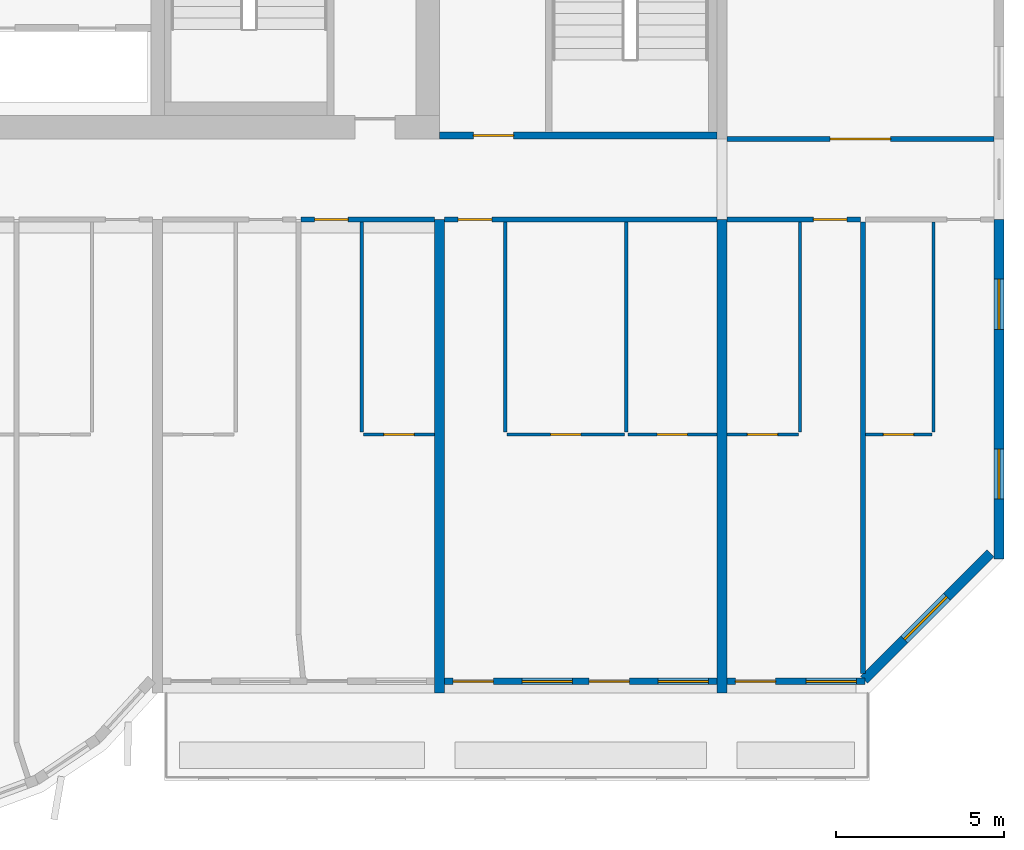
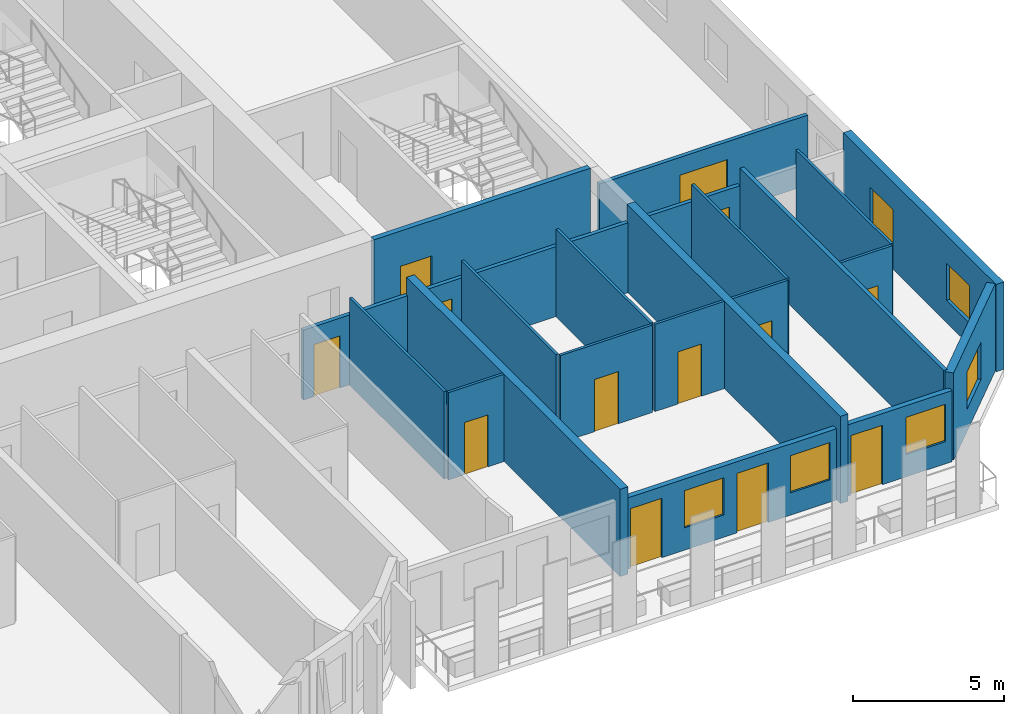
# One storey, part 8 of 13: 22 walls, 13 doors, 6 windows, 19 openings.
"""IFC4 building model written with IfcOpenShell, lengths in metres."""

from ifc_helpers import new_model, si_unit, direction, frame, frame_2d, origin, place, context, subcontext, project, spatial, rectangle, extrude, source, transform, mapped, material, layer, layer_set, type_object, element, fill, save


model = new_model("IFC4")

# Units and contexts
model_context = context("Model", 3, precision=1e-05, world=origin(), true_north=direction((0.0, 1.0)))
body_context = subcontext(model_context, "Body", "Model", "MODEL_VIEW")
ifc_project = project(units=[si_unit("LENGTHUNIT", "METRE"), si_unit("AREAUNIT", "SQUARE_METRE"), si_unit("VOLUMEUNIT", "CUBIC_METRE"), si_unit("PLANEANGLEUNIT", "RADIAN"), si_unit("MASSUNIT", "GRAM", prefix="KILO")], contexts=[model_context])

# Site, building, storey
site_placement = place(None, origin())
site = spatial("IfcSite", under=ifc_project, at=site_placement, CompositionType="ELEMENT")
building_placement = place(site_placement, origin())
building = spatial("IfcBuilding", under=site, at=building_placement, Name="Vanashikhar Sky Hotel", CompositionType="ELEMENT")
storey_placement = place(building_placement, frame((0.0, 0.0, 151.60009765625)))
storey = spatial("IfcBuildingStorey", under=building, at=storey_placement, Name="L36", CompositionType="ELEMENT", Elevation=151.60009765625)

# Wall, openings, windows
ifc_material_1 = material(Name="Concrete M60", Category="concrete")
ifc_layer_1 = layer(ifc_material_1, 0.300048828125)
ifc_layer_set_1 = layer_set([ifc_layer_1], Name="RC shear wall 300 Concrete M60")
wall_type_1 = type_object("IfcWallType", Name="RC shear wall 300 Concrete M60", PredefinedType="SHEAR", material=ifc_layer_set_1)
shared_shape_1 = source(origin(), body_context, "Body", "SweptSolid", [
    extrude(rectangle(XDim=10.10009765625, YDim=0.300048828125, at=frame_2d((5.050048828125, 0.0))), origin(), (0.0, 0.0, 1.0), 3.52001953125),
])
wall_1_placement = place(storey_placement, frame((92.25, 9.5, 0.0), z_axis=(0.0, 0.0, 1.0), x_axis=(0.0, 1.0, 0.0)))
wall_1 = element("IfcWall", 1, at=wall_1_placement, inside=storey, type_object=wall_type_1, Name="CW-L36-XW12-1", PredefinedType="SHEAR", context=body_context, shape_type="MappedRepresentation", body=[
    mapped(shared_shape_1, transform((0.0, 0.0, 0.0), scale=1.0)),
])
shared_shape_2 = source(origin(), body_context, "Body", "SweptSolid", [
    extrude(rectangle(XDim=1.5, YDim=1.5, at=frame_2d((0.75, 0.75))), frame((0.0, 0.16015625, 0.0), z_axis=(0.0, -1.0, 0.0), x_axis=(1.0, 0.0, 0.0)), (0.0, 0.0, 1.0), 0.320068359375),
])
opening_1_placement = place(wall_1_placement, frame((1.77490234375, 0.0, 0.89990234375)))
opening_1 = element("IfcOpeningElement", 2, at=opening_1_placement, cuts=wall_1, Name="Opening WN-1", PredefinedType="OPENING", context=body_context, shape_type="MappedRepresentation", body=[
    mapped(shared_shape_2, transform((0.0, 0.0, 0.0), scale=1.0)),
])
opening_2_placement = place(wall_1_placement, frame((6.824951171875, 0.0, 0.89990234375)))
opening_2 = element("IfcOpeningElement", 3, at=opening_2_placement, cuts=wall_1, Name="Opening WN-1", PredefinedType="OPENING", context=body_context, shape_type="MappedRepresentation", body=[
    mapped(shared_shape_2, transform((0.0, 0.0, 0.0), scale=1.0)),
])
ifc_material_2 = material(Name="Glass", Category="glass")
window_type_1 = type_object("IfcWindowType", Name="Window 1500 x 1500", PartitioningType="SINGLE_PANEL", PredefinedType="WINDOW", material=ifc_material_2)
shared_shape_3 = source(origin(), body_context, "Body", "SweptSolid", [
    extrude(rectangle(XDim=1.5, YDim=1.5, at=frame_2d((0.75, 0.75))), frame((0.0, 0.030029296875, 0.0), z_axis=(0.0, -1.0, 0.0), x_axis=(1.0, 0.0, 0.0)), (0.0, 0.0, 1.0), 0.06005859375),
])
window_1_placement = place(opening_1_placement, origin())
window_1 = element("IfcWindow", 4, at=window_1_placement, inside=storey, type_object=window_type_1, Name="Window WN-1", OverallHeight=1.5, OverallWidth=1.5, PartitioningType="SINGLE_PANEL", PredefinedType="WINDOW", context=body_context, shape_type="MappedRepresentation", body=[
    mapped(shared_shape_3, transform((0.0, 0.0, 0.0), scale=1.0)),
])
fill(opening_1, window_1)
window_2_placement = place(opening_2_placement, origin())
window_2 = element("IfcWindow", 5, at=window_2_placement, inside=storey, type_object=window_type_1, Name="Window WN-1", OverallHeight=1.5, OverallWidth=1.5, PartitioningType="SINGLE_PANEL", PredefinedType="WINDOW", context=body_context, shape_type="MappedRepresentation", body=[
    mapped(shared_shape_3, transform((0.0, 0.0, 0.0), scale=1.0)),
])
fill(opening_2, window_2)

# Walls
shared_shape_4 = source(origin(), body_context, "Body", "SweptSolid", [
    extrude(rectangle(XDim=14.10009765625, YDim=0.300048828125, at=frame_2d((7.050048828125, 0.0))), origin(), (0.0, 0.0, 1.0), 3.52001953125),
])
for number, where, z_axis, x_axis, name in (
    (6, (75.60009765625, 5.5, 0.0), (0.0, 0.0, 1.0), (0.0, 1.0, 0.0), "CW-L36-XW10-1"),
    (7, (84.0, 5.5, 0.0), (0.0, 0.0, 1.0), (0.0, 1.0, 0.0), "CW-L36-XW11-1"),
):
    element("IfcWall", number, at=place(storey_placement, frame(where, z_axis=z_axis, x_axis=x_axis)), inside=storey, type_object=wall_type_1, Name=name, PredefinedType="SHEAR", context=body_context, shape_type="MappedRepresentation", body=[
        mapped(shared_shape_4, transform((0.0, 0.0, 0.0), scale=1.0)),
    ])

# Wall, opening, window
ifc_material_3 = material(Name="Concrete M50", Category="concrete")
ifc_layer_2 = layer(ifc_material_3, 0.300048828125)
ifc_layer_set_2 = layer_set([ifc_layer_2], Name="Lobe wall 300")
wall_type_2 = type_object("IfcWallType", Name="Lobe wall 300", PredefinedType="SOLIDWALL", material=ifc_layer_set_2)
shared_shape_5 = source(origin(), body_context, "Body", "SweptSolid", [
    extrude(rectangle(XDim=5.32568359375, YDim=0.300048828125, at=frame_2d((2.662841796875, 0.0))), origin(), (0.0, 0.0, 1.0), 3.52001953125),
])
wall_2_placement = place(storey_placement, frame((88.234375, 5.89990234375, 0.0), z_axis=(0.0, 0.0, 1.0), x_axis=(0.707083859269, 0.707129702361, 0.0)))
wall_2 = element("IfcWall", 8, at=wall_2_placement, inside=storey, type_object=wall_type_2, Name="Corner wall", PredefinedType="SOLIDWALL", context=body_context, shape_type="MappedRepresentation", body=[
    mapped(shared_shape_5, transform((0.0, 0.0, 0.0), scale=1.0)),
])
shared_shape_6 = source(origin(), body_context, "Body", "SweptSolid", [
    extrude(rectangle(XDim=1.800048828125, YDim=1.5, at=frame_2d((0.89990234375, 0.75))), frame((0.0, 0.16015625, 0.0), z_axis=(0.0, -1.0, 0.0), x_axis=(1.0, 0.0, 0.0)), (0.0, 0.0, 1.0), 0.320068359375),
])
opening_3_placement = place(wall_2_placement, frame((1.689453125, 0.0, 0.89990234375)))
opening_3 = element("IfcOpeningElement", 9, at=opening_3_placement, cuts=wall_2, Name="Opening WN-4", PredefinedType="OPENING", context=body_context, shape_type="MappedRepresentation", body=[
    mapped(shared_shape_6, transform((0.0, 0.0, 0.0), scale=1.0)),
])
window_type_2 = type_object("IfcWindowType", Name="Corner window 1800 x 1500", PartitioningType="SINGLE_PANEL", PredefinedType="WINDOW", material=ifc_material_2)
shared_shape_7 = source(origin(), body_context, "Body", "SweptSolid", [
    extrude(rectangle(XDim=1.800048828125, YDim=1.5, at=frame_2d((0.89990234375, 0.75))), frame((0.0, 0.030029296875, 0.0), z_axis=(0.0, -1.0, 0.0), x_axis=(1.0, 0.0, 0.0)), (0.0, 0.0, 1.0), 0.06005859375),
])
window_3_placement = place(opening_3_placement, origin())
window_3 = element("IfcWindow", 10, at=window_3_placement, inside=storey, type_object=window_type_2, Name="Window WN-4", OverallHeight=1.5, OverallWidth=1.800048828125, PartitioningType="SINGLE_PANEL", PredefinedType="WINDOW", context=body_context, shape_type="MappedRepresentation", body=[
    mapped(shared_shape_7, transform((0.0, 0.0, 0.0), scale=1.0)),
])
fill(opening_3, window_3)

# Wall, openings, window, door
ifc_layer_3 = layer(ifc_material_3, 0.199951171875)
ifc_layer_set_3 = layer_set([ifc_layer_3], Name="Front window wall 200")
wall_type_3 = type_object("IfcWallType", Name="Front window wall 200", PredefinedType="SOLIDWALL", material=ifc_layer_set_3)
shared_shape_8 = source(origin(), body_context, "Body", "SweptSolid", [
    extrude(rectangle(XDim=4.10498046875, YDim=0.199951171875, at=frame_2d((2.052490234375, 0.0))), origin(), (0.0, 0.0, 1.0), 2.869873046875),
])
wall_3_placement = place(storey_placement, frame((84.14990234375, 5.85009765625, 0.0), z_axis=(0.0, 0.0, 1.0), x_axis=(1.0, 0.0, 0.0)))
wall_3 = element("IfcWall", 11, at=wall_3_placement, inside=storey, type_object=wall_type_3, Name="Front window wall", PredefinedType="SOLIDWALL", context=body_context, shape_type="MappedRepresentation", body=[
    mapped(shared_shape_8, transform((0.0, 0.0, 0.0), scale=1.0)),
])
shared_shape_9 = source(origin(), body_context, "Body", "SweptSolid", [
    extrude(rectangle(XDim=1.199951171875, YDim=2.39990234375, at=frame_2d((0.60009765625, 1.199951171875))), frame((0.0, 0.10986328125, 0.0), z_axis=(0.0, -1.0, 0.0), x_axis=(1.0, 0.0, 0.0)), (0.0, 0.0, 1.0), 0.219970703125),
])
opening_4_placement = place(wall_3_placement, frame((0.25, 0.0, 0.0)))
opening_4 = element("IfcOpeningElement", 12, at=opening_4_placement, cuts=wall_3, Name="Opening BD-10", PredefinedType="OPENING", context=body_context, shape_type="MappedRepresentation", body=[
    mapped(shared_shape_9, transform((0.0, 0.0, 0.0), scale=1.0)),
])
shared_shape_10 = source(origin(), body_context, "Body", "SweptSolid", [
    extrude(rectangle(XDim=1.5, YDim=1.5, at=frame_2d((0.75, 0.75))), frame((0.0, 0.10986328125, 0.0), z_axis=(0.0, -1.0, 0.0), x_axis=(1.0, 0.0, 0.0)), (0.0, 0.0, 1.0), 0.219970703125),
])
opening_5_placement = place(wall_3_placement, frame((2.35498046875, 0.0, 0.89990234375)))
opening_5 = element("IfcOpeningElement", 13, at=opening_5_placement, cuts=wall_3, Name="Opening WN-1", PredefinedType="OPENING", context=body_context, shape_type="MappedRepresentation", body=[
    mapped(shared_shape_10, transform((0.0, 0.0, 0.0), scale=1.0)),
])
window_4_placement = place(opening_5_placement, origin())
window_4 = element("IfcWindow", 14, at=window_4_placement, inside=storey, type_object=window_type_1, Name="Window WN-1", OverallHeight=1.5, OverallWidth=1.5, PartitioningType="SINGLE_PANEL", PredefinedType="WINDOW", context=body_context, shape_type="MappedRepresentation", body=[
    mapped(shared_shape_3, transform((0.0, 0.0, 0.0), scale=1.0)),
])
fill(opening_5, window_4)
ifc_material_4 = material(Name="Aluminium", Category="aluminium")
door_type_1 = type_object("IfcDoorType", Name="Balcony sliding door 1200 x 2400", OperationType="NOTDEFINED", PredefinedType="DOOR", material=ifc_material_4)
shared_shape_11 = source(origin(), body_context, "Body", "SweptSolid", [
    extrude(rectangle(XDim=1.199951171875, YDim=2.39990234375, at=frame_2d((0.60009765625, 1.199951171875))), frame((0.0, 0.02490234375, 0.0), z_axis=(0.0, -1.0, 0.0), x_axis=(1.0, 0.0, 0.0)), (0.0, 0.0, 1.0), 0.050048828125),
])
door_1_placement = place(opening_4_placement, origin())
door_1 = element("IfcDoor", 15, at=door_1_placement, inside=storey, type_object=door_type_1, Name="Balcony sliding door", OperationType="SLIDING_TO_RIGHT", OverallHeight=2.39990234375, OverallWidth=1.199951171875, PredefinedType="DOOR", context=body_context, shape_type="MappedRepresentation", body=[
    mapped(shared_shape_11, transform((0.0, 0.0, 0.0), scale=1.0)),
])
fill(opening_4, door_1)

# Wall, openings, windows, doors
shared_shape_12 = source(origin(), body_context, "Body", "SweptSolid", [
    extrude(rectangle(XDim=8.10009765625, YDim=0.199951171875, at=frame_2d((4.050048828125, 0.0))), origin(), (0.0, 0.0, 1.0), 2.869873046875),
])
wall_4_placement = place(storey_placement, frame((75.75, 5.85009765625, 0.0), z_axis=(0.0, 0.0, 1.0), x_axis=(1.0, 0.0, 0.0)))
wall_4 = element("IfcWall", 16, at=wall_4_placement, inside=storey, type_object=wall_type_3, Name="Front window wall", PredefinedType="SOLIDWALL", context=body_context, shape_type="MappedRepresentation", body=[
    mapped(shared_shape_12, transform((0.0, 0.0, 0.0), scale=1.0)),
])
opening_6_placement = place(wall_4_placement, frame((0.25, 0.0, 0.0)))
opening_6 = element("IfcOpeningElement", 17, at=opening_6_placement, cuts=wall_4, Name="Opening BD-08", PredefinedType="OPENING", context=body_context, shape_type="MappedRepresentation", body=[
    mapped(shared_shape_9, transform((0.0, 0.0, 0.0), scale=1.0)),
])
opening_7_placement = place(wall_4_placement, frame((2.300048828125, 0.0, 0.89990234375)))
opening_7 = element("IfcOpeningElement", 18, at=opening_7_placement, cuts=wall_4, Name="Opening WN-1", PredefinedType="OPENING", context=body_context, shape_type="MappedRepresentation", body=[
    mapped(shared_shape_10, transform((0.0, 0.0, 0.0), scale=1.0)),
])
opening_8_placement = place(wall_4_placement, frame((4.300048828125, 0.0, 0.0)))
opening_8 = element("IfcOpeningElement", 19, at=opening_8_placement, cuts=wall_4, Name="Opening BD-09", PredefinedType="OPENING", context=body_context, shape_type="MappedRepresentation", body=[
    mapped(shared_shape_9, transform((0.0, 0.0, 0.0), scale=1.0)),
])
opening_9_placement = place(wall_4_placement, frame((6.35009765625, 0.0, 0.89990234375)))
opening_9 = element("IfcOpeningElement", 20, at=opening_9_placement, cuts=wall_4, Name="Opening WN-1", PredefinedType="OPENING", context=body_context, shape_type="MappedRepresentation", body=[
    mapped(shared_shape_10, transform((0.0, 0.0, 0.0), scale=1.0)),
])
window_5_placement = place(opening_7_placement, origin())
window_5 = element("IfcWindow", 21, at=window_5_placement, inside=storey, type_object=window_type_1, Name="Window WN-1", OverallHeight=1.5, OverallWidth=1.5, PartitioningType="SINGLE_PANEL", PredefinedType="WINDOW", context=body_context, shape_type="MappedRepresentation", body=[
    mapped(shared_shape_3, transform((0.0, 0.0, 0.0), scale=1.0)),
])
fill(opening_7, window_5)
window_6_placement = place(opening_9_placement, origin())
window_6 = element("IfcWindow", 22, at=window_6_placement, inside=storey, type_object=window_type_1, Name="Window WN-1", OverallHeight=1.5, OverallWidth=1.5, PartitioningType="SINGLE_PANEL", PredefinedType="WINDOW", context=body_context, shape_type="MappedRepresentation", body=[
    mapped(shared_shape_3, transform((0.0, 0.0, 0.0), scale=1.0)),
])
fill(opening_9, window_6)
door_2_placement = place(opening_6_placement, origin())
door_2 = element("IfcDoor", 23, at=door_2_placement, inside=storey, type_object=door_type_1, Name="Balcony sliding door", OperationType="SLIDING_TO_RIGHT", OverallHeight=2.39990234375, OverallWidth=1.199951171875, PredefinedType="DOOR", context=body_context, shape_type="MappedRepresentation", body=[
    mapped(shared_shape_11, transform((0.0, 0.0, 0.0), scale=1.0)),
])
fill(opening_6, door_2)
door_3_placement = place(opening_8_placement, origin())
door_3 = element("IfcDoor", 24, at=door_3_placement, inside=storey, type_object=door_type_1, Name="Balcony sliding door", OperationType="SLIDING_TO_LEFT", OverallHeight=2.39990234375, OverallWidth=1.199951171875, PredefinedType="DOOR", context=body_context, shape_type="MappedRepresentation", body=[
    mapped(shared_shape_11, transform((0.0, 0.0, 0.0), scale=1.0)),
])
fill(opening_8, door_3)

# Wall, opening, door
ifc_layer_4 = layer(ifc_material_3, 0.199951171875)
ifc_layer_set_4 = layer_set([ifc_layer_4], Name="Stair wall 200")
wall_type_4 = type_object("IfcWallType", Name="Stair wall 200", PredefinedType="SOLIDWALL", material=ifc_layer_set_4)
shared_shape_13 = source(origin(), body_context, "Body", "SweptSolid", [
    extrude(rectangle(XDim=8.25, YDim=0.199951171875, at=frame_2d((4.125, 0.0))), origin(), (0.0, 0.0, 1.0), 3.52001953125),
])
wall_5_placement = place(storey_placement, frame((83.85009765625, 22.10009765625, 0.0), z_axis=(0.0, 0.0, 1.0), x_axis=(-1.0, 0.0, 0.0)))
wall_5 = element("IfcWall", 25, at=wall_5_placement, inside=storey, type_object=wall_type_4, Name="Stair wall 200", PredefinedType="SOLIDWALL", context=body_context, shape_type="MappedRepresentation", body=[
    mapped(shared_shape_13, transform((0.0, 0.0, 0.0), scale=1.0)),
])
shared_shape_14 = source(origin(), body_context, "Body", "SweptSolid", [
    extrude(rectangle(XDim=1.199951171875, YDim=2.10009765625, at=frame_2d((0.60009765625, 1.050048828125))), frame((0.0, 0.10986328125, 0.0), z_axis=(0.0, -1.0, 0.0), x_axis=(1.0, 0.0, 0.0)), (0.0, 0.0, 1.0), 0.219970703125),
])
opening_10_placement = place(wall_5_placement, frame((6.050048828125, 0.0, 0.0)))
opening_10 = element("IfcOpeningElement", 26, at=opening_10_placement, cuts=wall_5, Name="Opening DC-2", PredefinedType="OPENING", context=body_context, shape_type="MappedRepresentation", body=[
    mapped(shared_shape_14, transform((0.0, 0.0, 0.0), scale=1.0)),
])
ifc_material_5 = material(Name="Steel", Category="steel")
door_type_2 = type_object("IfcDoorType", Name="Firefighting lobby door 1200 FD120", OperationType="NOTDEFINED", PredefinedType="DOOR", material=ifc_material_5)
shared_shape_15 = source(origin(), body_context, "Body", "SweptSolid", [
    extrude(rectangle(XDim=1.199951171875, YDim=2.10009765625, at=frame_2d((0.60009765625, 1.050048828125))), frame((0.0, 0.02490234375, 0.0), z_axis=(0.0, -1.0, 0.0), x_axis=(1.0, 0.0, 0.0)), (0.0, 0.0, 1.0), 0.050048828125),
])
door_4_placement = place(opening_10_placement, origin())
door_4 = element("IfcDoor", 27, at=door_4_placement, inside=storey, type_object=door_type_2, Name="Firefighting lobby door 1200 FD120", OperationType="SINGLE_SWING_RIGHT", OverallHeight=2.10009765625, OverallWidth=1.199951171875, PredefinedType="DOOR", context=body_context, shape_type="MappedRepresentation", body=[
    mapped(shared_shape_15, transform((0.0, 0.0, 0.0), scale=1.0)),
])
fill(opening_10, door_4)

ifc_material_6 = material(Name="Gypsum plasterboard partition")
ifc_layer_5 = layer(ifc_material_6, 0.10009765625)
ifc_layer_set_5 = layer_set([ifc_layer_5], Name="Wet room partition 100")
wall_type_5 = type_object("IfcWallType", Name="Wet room partition 100", PredefinedType="PARTITIONING", material=ifc_layer_set_5)
shared_shape_16 = source(origin(), body_context, "Body", "SweptSolid", [
    extrude(rectangle(XDim=3.5, YDim=0.10009765625, at=frame_2d((1.75, 0.0))), origin(), (0.0, 0.0, 1.0), 3.52001953125),
])
wall_6_placement = place(storey_placement, frame((77.60009765625, 13.199951171875, 0.0), z_axis=(0.0, 0.0, 1.0), x_axis=(1.0, 0.0, 0.0)))
wall_6 = element("IfcWall", 28, at=wall_6_placement, inside=storey, type_object=wall_type_5, Name="W-L36-PW043", PredefinedType="PARTITIONING", context=body_context, shape_type="MappedRepresentation", body=[
    mapped(shared_shape_16, transform((0.0, 0.0, 0.0), scale=1.0)),
])
shared_shape_17 = source(origin(), body_context, "Body", "SweptSolid", [
    extrude(rectangle(XDim=0.89990234375, YDim=2.10009765625, at=frame_2d((0.449951171875, 1.050048828125))), frame((0.0, 0.06005859375, 0.0), z_axis=(0.0, -1.0, 0.0), x_axis=(1.0, 0.0, 0.0)), (0.0, 0.0, 1.0), 0.1201171875),
])
opening_11_placement = place(wall_6_placement, frame((1.300048828125, 0.0, 0.0)))
opening_11 = element("IfcOpeningElement", 29, at=opening_11_placement, cuts=wall_6, Name="Opening D-02", PredefinedType="OPENING", context=body_context, shape_type="MappedRepresentation", body=[
    mapped(shared_shape_17, transform((0.0, 0.0, 0.0), scale=1.0)),
])
ifc_material_7 = material(Name="Timber door", Category="wood")
door_type_3 = type_object("IfcDoorType", Name="Internal door 900", OperationType="NOTDEFINED", PredefinedType="DOOR", material=ifc_material_7)
shared_shape_18 = source(origin(), body_context, "Body", "SweptSolid", [
    extrude(rectangle(XDim=0.89990234375, YDim=2.10009765625, at=frame_2d((0.449951171875, 1.050048828125))), frame((0.0, 0.02490234375, 0.0), z_axis=(0.0, -1.0, 0.0), x_axis=(1.0, 0.0, 0.0)), (0.0, 0.0, 1.0), 0.050048828125),
])
door_5_placement = place(opening_11_placement, origin())
door_5 = element("IfcDoor", 30, at=door_5_placement, inside=storey, type_object=door_type_3, Name="D-L36-025", OperationType="SINGLE_SWING_LEFT", OverallHeight=2.10009765625, OverallWidth=0.89990234375, PredefinedType="DOOR", context=body_context, shape_type="MappedRepresentation", body=[
    mapped(shared_shape_18, transform((0.0, 0.0, 0.0), scale=1.0)),
])
fill(opening_11, door_5)

# Walls
shared_shape_19 = source(origin(), body_context, "Body", "SweptSolid", [
    extrude(rectangle(XDim=6.25, YDim=0.10009765625, at=frame_2d((3.125, 0.0))), origin(), (0.0, 0.0, 1.0), 3.52001953125),
])
for number, where, z_axis, x_axis, name in (
    (31, (73.27490234375, 13.27490234375, 0.0), (0.0, 0.0, 1.0), (0.0, 1.0, 0.0), "W-L36-PW037"),
    (32, (77.550048828125, 13.27490234375, 0.0), (0.0, 0.0, 1.0), (0.0, 1.0, 0.0), "W-L36-PW041"),
    (33, (81.14990234375, 13.27490234375, 0.0), (0.0, 0.0, 1.0), (0.0, 1.0, 0.0), "W-L36-PW042"),
    (34, (86.324951171875, 13.27490234375, 0.0), (0.0, 0.0, 1.0), (0.0, 1.0, 0.0), "W-L36-PW046"),
    (35, (90.300048828125, 13.27490234375, 0.0), (0.0, 0.0, 1.0), (0.0, 1.0, 0.0), "W-L36-PW049"),
):
    element("IfcWall", number, at=place(storey_placement, frame(where, z_axis=z_axis, x_axis=x_axis)), inside=storey, type_object=wall_type_5, Name=name, PredefinedType="PARTITIONING", context=body_context, shape_type="MappedRepresentation", body=[
        mapped(shared_shape_19, transform((0.0, 0.0, 0.0), scale=1.0)),
    ])
ifc_layer_6 = layer(ifc_material_6, 0.14990234375)
ifc_layer_set_6 = layer_set([ifc_layer_6], Name="Corridor and demising partition 150")
wall_type_6 = type_object("IfcWallType", Name="Corridor and demising partition 150", PredefinedType="PARTITIONING", material=ifc_layer_set_6)
shared_shape_20 = source(origin(), body_context, "Body", "SweptSolid", [
    extrude(rectangle(XDim=13.447021484375, YDim=0.14990234375, at=frame_2d((6.7236328125, 0.0))), origin(), (0.0, 0.0, 1.0), 3.52001953125),
])
wall_7_placement = place(storey_placement, frame((88.199951171875, 6.077880859375, 0.0), z_axis=(0.0, 0.0, 1.0), x_axis=(0.0, 1.0, 0.0)))
element("IfcWall", 36, at=wall_7_placement, inside=storey, type_object=wall_type_6, Name="W-L36-PW052", PredefinedType="PARTITIONING", context=body_context, shape_type="MappedRepresentation", body=[
    mapped(shared_shape_20, transform((0.0, 0.0, 0.0), scale=1.0)),
])

# Wall, opening, door
shared_shape_21 = source(origin(), body_context, "Body", "SweptSolid", [
    extrude(rectangle(XDim=8.10009765625, YDim=0.14990234375, at=frame_2d((4.050048828125, 0.0))), origin(), (0.0, 0.0, 1.0), 2.81982421875),
])
wall_8_placement = place(storey_placement, frame((75.75, 19.60009765625, 0.0), z_axis=(0.0, 0.0, 1.0), x_axis=(1.0, 0.0, 0.0)))
wall_8 = element("IfcWall", 37, at=wall_8_placement, inside=storey, type_object=wall_type_6, Name="W-L36-PW045", PredefinedType="PARTITIONING", context=body_context, shape_type="MappedRepresentation", body=[
    mapped(shared_shape_21, transform((0.0, 0.0, 0.0), scale=1.0)),
])
shared_shape_22 = source(origin(), body_context, "Body", "SweptSolid", [
    extrude(rectangle(XDim=1.0, YDim=2.10009765625, at=frame_2d((0.5, 1.050048828125))), frame((0.0, 0.0849609375, 0.0), z_axis=(0.0, -1.0, 0.0), x_axis=(1.0, 0.0, 0.0)), (0.0, 0.0, 1.0), 0.169921875),
])
opening_12_placement = place(wall_8_placement, frame((0.39990234375, 0.0, 0.0)))
opening_12 = element("IfcOpeningElement", 38, at=opening_12_placement, cuts=wall_8, Name="Opening D-01", PredefinedType="OPENING", context=body_context, shape_type="MappedRepresentation", body=[
    mapped(shared_shape_22, transform((0.0, 0.0, 0.0), scale=1.0)),
])
ifc_material_8 = material(Name="Timber fire door", Category="wood")
door_type_4 = type_object("IfcDoorType", Name="Guest entry door 1000 FD30S", OperationType="NOTDEFINED", PredefinedType="DOOR", material=ifc_material_8)
shared_shape_23 = source(origin(), body_context, "Body", "SweptSolid", [
    extrude(rectangle(XDim=1.0, YDim=2.10009765625, at=frame_2d((0.5, 1.050048828125))), frame((0.0, 0.02490234375, 0.0), z_axis=(0.0, -1.0, 0.0), x_axis=(1.0, 0.0, 0.0)), (0.0, 0.0, 1.0), 0.050048828125),
])
door_6_placement = place(opening_12_placement, origin())
door_6 = element("IfcDoor", 39, at=door_6_placement, inside=storey, type_object=door_type_4, Name="D-L36-027", OperationType="SINGLE_SWING_LEFT", OverallHeight=2.10009765625, OverallWidth=1.0, PredefinedType="DOOR", context=body_context, shape_type="MappedRepresentation", body=[
    mapped(shared_shape_23, transform((0.0, 0.0, 0.0), scale=1.0)),
])
fill(opening_12, door_6)

shared_shape_24 = source(origin(), body_context, "Body", "SweptSolid", [
    extrude(rectangle(XDim=2.125, YDim=0.10009765625, at=frame_2d((1.0625, 0.0))), origin(), (0.0, 0.0, 1.0), 3.52001953125),
])
wall_9_placement = place(storey_placement, frame((73.324951171875, 13.199951171875, 0.0), z_axis=(0.0, 0.0, 1.0), x_axis=(1.0, 0.0, 0.0)))
wall_9 = element("IfcWall", 40, at=wall_9_placement, inside=storey, type_object=wall_type_5, Name="W-L36-PW038", PredefinedType="PARTITIONING", context=body_context, shape_type="MappedRepresentation", body=[
    mapped(shared_shape_24, transform((0.0, 0.0, 0.0), scale=1.0)),
])
opening_13_placement = place(wall_9_placement, frame((0.612060546875, 0.0, 0.0)))
opening_13 = element("IfcOpeningElement", 41, at=opening_13_placement, cuts=wall_9, Name="Opening D-02", PredefinedType="OPENING", context=body_context, shape_type="MappedRepresentation", body=[
    mapped(shared_shape_17, transform((0.0, 0.0, 0.0), scale=1.0)),
])
door_7_placement = place(opening_13_placement, origin())
door_7 = element("IfcDoor", 42, at=door_7_placement, inside=storey, type_object=door_type_3, Name="D-L36-023", OperationType="SINGLE_SWING_LEFT", OverallHeight=2.10009765625, OverallWidth=0.89990234375, PredefinedType="DOOR", context=body_context, shape_type="MappedRepresentation", body=[
    mapped(shared_shape_18, transform((0.0, 0.0, 0.0), scale=1.0)),
])
fill(opening_13, door_7)

wall_10_placement = place(storey_placement, frame((84.14990234375, 13.199951171875, 0.0), z_axis=(0.0, 0.0, 1.0), x_axis=(1.0, 0.0, 0.0)))
wall_10 = element("IfcWall", 43, at=wall_10_placement, inside=storey, type_object=wall_type_5, Name="W-L36-PW047", PredefinedType="PARTITIONING", context=body_context, shape_type="MappedRepresentation", body=[
    mapped(shared_shape_24, transform((0.0, 0.0, 0.0), scale=1.0)),
])
opening_14_placement = place(wall_10_placement, frame((0.612060546875, 0.0, 0.0)))
opening_14 = element("IfcOpeningElement", 44, at=opening_14_placement, cuts=wall_10, Name="Opening D-02", PredefinedType="OPENING", context=body_context, shape_type="MappedRepresentation", body=[
    mapped(shared_shape_17, transform((0.0, 0.0, 0.0), scale=1.0)),
])
door_8_placement = place(opening_14_placement, origin())
door_8 = element("IfcDoor", 45, at=door_8_placement, inside=storey, type_object=door_type_3, Name="D-L36-028", OperationType="SINGLE_SWING_RIGHT", OverallHeight=2.10009765625, OverallWidth=0.89990234375, PredefinedType="DOOR", context=body_context, shape_type="MappedRepresentation", body=[
    mapped(shared_shape_18, transform((0.0, 0.0, 0.0), scale=1.0)),
])
fill(opening_14, door_8)

shared_shape_25 = source(origin(), body_context, "Body", "SweptSolid", [
    extrude(rectangle(XDim=3.974853515625, YDim=0.14990234375, at=frame_2d((1.9873046875, 0.0))), origin(), (0.0, 0.0, 1.0), 2.81982421875),
])
wall_11_placement = place(storey_placement, frame((71.47509765625, 19.60009765625, 0.0), z_axis=(0.0, 0.0, 1.0), x_axis=(1.0, 0.0, 0.0)))
wall_11 = element("IfcWall", 46, at=wall_11_placement, inside=storey, type_object=wall_type_6, Name="W-L36-PW039", PredefinedType="PARTITIONING", context=body_context, shape_type="MappedRepresentation", body=[
    mapped(shared_shape_25, transform((0.0, 0.0, 0.0), scale=1.0)),
])
opening_15_placement = place(wall_11_placement, frame((0.39990234375, 0.0, 0.0)))
opening_15 = element("IfcOpeningElement", 47, at=opening_15_placement, cuts=wall_11, Name="Opening D-01", PredefinedType="OPENING", context=body_context, shape_type="MappedRepresentation", body=[
    mapped(shared_shape_22, transform((0.0, 0.0, 0.0), scale=1.0)),
])
door_9_placement = place(opening_15_placement, origin())
door_9 = element("IfcDoor", 48, at=door_9_placement, inside=storey, type_object=door_type_4, Name="D-L36-024", OperationType="SINGLE_SWING_LEFT", OverallHeight=2.10009765625, OverallWidth=1.0, PredefinedType="DOOR", context=body_context, shape_type="MappedRepresentation", body=[
    mapped(shared_shape_23, transform((0.0, 0.0, 0.0), scale=1.0)),
])
fill(opening_15, door_9)

shared_shape_26 = source(origin(), body_context, "Body", "SweptSolid", [
    extrude(rectangle(XDim=3.97509765625, YDim=0.14990234375, at=frame_2d((1.987548828125, 0.0))), origin(), (0.0, 0.0, 1.0), 2.81982421875),
])
wall_12_placement = place(storey_placement, frame((84.14990234375, 19.60009765625, 0.0), z_axis=(0.0, 0.0, 1.0), x_axis=(1.0, 0.0, 0.0)))
wall_12 = element("IfcWall", 49, at=wall_12_placement, inside=storey, type_object=wall_type_6, Name="W-L36-PW048", PredefinedType="PARTITIONING", context=body_context, shape_type="MappedRepresentation", body=[
    mapped(shared_shape_26, transform((0.0, 0.0, 0.0), scale=1.0)),
])
opening_16_placement = place(wall_12_placement, frame((2.574951171875, 0.0, 0.0)))
opening_16 = element("IfcOpeningElement", 50, at=opening_16_placement, cuts=wall_12, Name="Opening D-01", PredefinedType="OPENING", context=body_context, shape_type="MappedRepresentation", body=[
    mapped(shared_shape_22, transform((0.0, 0.0, 0.0), scale=1.0)),
])
door_10_placement = place(opening_16_placement, origin())
door_10 = element("IfcDoor", 51, at=door_10_placement, inside=storey, type_object=door_type_4, Name="D-L36-029", OperationType="SINGLE_SWING_RIGHT", OverallHeight=2.10009765625, OverallWidth=1.0, PredefinedType="DOOR", context=body_context, shape_type="MappedRepresentation", body=[
    mapped(shared_shape_23, transform((0.0, 0.0, 0.0), scale=1.0)),
])
fill(opening_16, door_10)

shared_shape_27 = source(origin(), body_context, "Body", "SweptSolid", [
    extrude(rectangle(XDim=2.650146484375, YDim=0.10009765625, at=frame_2d((1.3251953125, 0.0))), origin(), (0.0, 0.0, 1.0), 3.52001953125),
])
wall_13_placement = place(storey_placement, frame((81.199951171875, 13.199951171875, 0.0), z_axis=(0.0, 0.0, 1.0), x_axis=(1.0, 0.0, 0.0)))
wall_13 = element("IfcWall", 52, at=wall_13_placement, inside=storey, type_object=wall_type_5, Name="W-L36-PW044", PredefinedType="PARTITIONING", context=body_context, shape_type="MappedRepresentation", body=[
    mapped(shared_shape_27, transform((0.0, 0.0, 0.0), scale=1.0)),
])
opening_17_placement = place(wall_13_placement, frame((0.875, 0.0, 0.0)))
opening_17 = element("IfcOpeningElement", 53, at=opening_17_placement, cuts=wall_13, Name="Opening D-02", PredefinedType="OPENING", context=body_context, shape_type="MappedRepresentation", body=[
    mapped(shared_shape_17, transform((0.0, 0.0, 0.0), scale=1.0)),
])
door_11_placement = place(opening_17_placement, origin())
door_11 = element("IfcDoor", 54, at=door_11_placement, inside=storey, type_object=door_type_3, Name="D-L36-026", OperationType="SINGLE_SWING_LEFT", OverallHeight=2.10009765625, OverallWidth=0.89990234375, PredefinedType="DOOR", context=body_context, shape_type="MappedRepresentation", body=[
    mapped(shared_shape_18, transform((0.0, 0.0, 0.0), scale=1.0)),
])
fill(opening_17, door_11)

shared_shape_28 = source(origin(), body_context, "Body", "SweptSolid", [
    extrude(rectangle(XDim=1.97509765625, YDim=0.10009765625, at=frame_2d((0.987548828125, 0.0))), origin(), (0.0, 0.0, 1.0), 3.52001953125),
])
wall_14_placement = place(storey_placement, frame((88.27490234375, 13.199951171875, 0.0), z_axis=(0.0, 0.0, 1.0), x_axis=(1.0, 0.0, 0.0)))
wall_14 = element("IfcWall", 55, at=wall_14_placement, inside=storey, type_object=wall_type_5, Name="W-L36-PW050", PredefinedType="PARTITIONING", context=body_context, shape_type="MappedRepresentation", body=[
    mapped(shared_shape_28, transform((0.0, 0.0, 0.0), scale=1.0)),
])
opening_18_placement = place(wall_14_placement, frame((0.537109375, 0.0, 0.0)))
opening_18 = element("IfcOpeningElement", 56, at=opening_18_placement, cuts=wall_14, Name="Opening D-02", PredefinedType="OPENING", context=body_context, shape_type="MappedRepresentation", body=[
    mapped(shared_shape_17, transform((0.0, 0.0, 0.0), scale=1.0)),
])
door_12_placement = place(opening_18_placement, origin())
door_12 = element("IfcDoor", 57, at=door_12_placement, inside=storey, type_object=door_type_3, Name="D-L36-030", OperationType="SINGLE_SWING_RIGHT", OverallHeight=2.10009765625, OverallWidth=0.89990234375, PredefinedType="DOOR", context=body_context, shape_type="MappedRepresentation", body=[
    mapped(shared_shape_18, transform((0.0, 0.0, 0.0), scale=1.0)),
])
fill(opening_18, door_12)

shared_shape_29 = source(origin(), body_context, "Body", "SweptSolid", [
    extrude(rectangle(XDim=7.9501953125, YDim=0.14990234375, at=frame_2d((3.97509765625, 0.0))), origin(), (0.0, 0.0, 1.0), 2.81982421875),
])
wall_15_placement = place(storey_placement, frame((84.14990234375, 22.0, 0.0), z_axis=(0.0, 0.0, 1.0), x_axis=(1.0, 0.0, 0.0)))
wall_15 = element("IfcWall", 58, at=wall_15_placement, inside=storey, type_object=wall_type_6, Name="W-L36-PW060", PredefinedType="PARTITIONING", context=body_context, shape_type="MappedRepresentation", body=[
    mapped(shared_shape_29, transform((0.0, 0.0, 0.0), scale=1.0)),
])
shared_shape_30 = source(origin(), body_context, "Body", "SweptSolid", [
    extrude(rectangle(XDim=1.800048828125, YDim=2.10009765625, at=frame_2d((0.89990234375, 1.050048828125))), frame((0.0, 0.0849609375, 0.0), z_axis=(0.0, -1.0, 0.0), x_axis=(1.0, 0.0, 0.0)), (0.0, 0.0, 1.0), 0.169921875),
])
opening_19_placement = place(wall_15_placement, frame((3.074951171875, 0.0, 0.0)))
opening_19 = element("IfcOpeningElement", 59, at=opening_19_placement, cuts=wall_15, Name="Opening D-03", PredefinedType="OPENING", context=body_context, shape_type="MappedRepresentation", body=[
    mapped(shared_shape_30, transform((0.0, 0.0, 0.0), scale=1.0)),
])
door_type_5 = type_object("IfcDoorType", Name="Double leaf door 1800 FD30S", OperationType="NOTDEFINED", PredefinedType="DOOR", material=ifc_material_8)
shared_shape_31 = source(origin(), body_context, "Body", "SweptSolid", [
    extrude(rectangle(XDim=1.800048828125, YDim=2.10009765625, at=frame_2d((0.89990234375, 1.050048828125))), frame((0.0, 0.02490234375, 0.0), z_axis=(0.0, -1.0, 0.0), x_axis=(1.0, 0.0, 0.0)), (0.0, 0.0, 1.0), 0.050048828125),
])
door_13_placement = place(opening_19_placement, origin())
door_13 = element("IfcDoor", 60, at=door_13_placement, inside=storey, type_object=door_type_5, Name="D-L36-035", OperationType="DOUBLE_DOOR_SINGLE_SWING", OverallHeight=2.10009765625, OverallWidth=1.800048828125, PredefinedType="DOOR", context=body_context, shape_type="MappedRepresentation", body=[
    mapped(shared_shape_31, transform((0.0, 0.0, 0.0), scale=1.0)),
])
fill(opening_19, door_13)

save(model, "model.ifc")
